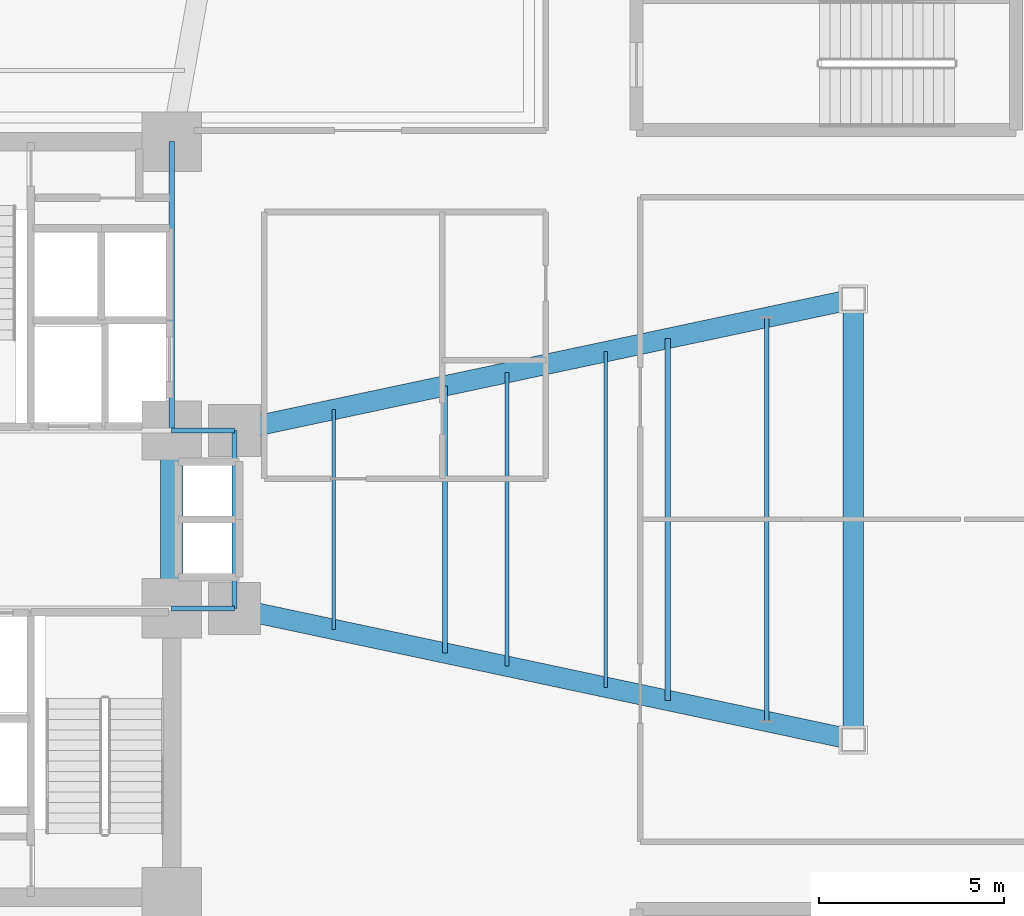
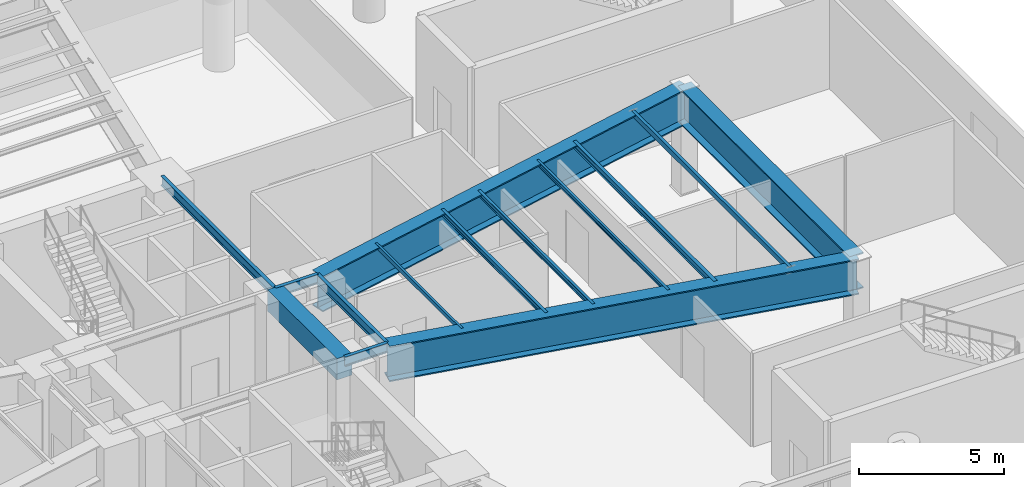
# One storey, part 7 of 22: 14 beams.
"""IFC4 building model written with IfcOpenShell, lengths in metres."""

from ifc_helpers import new_model, si_unit, direction, frame, origin, origin_2d, place, context, subcontext, project, spatial, rectangle, hollow_rectangle, i_section, extrude, source, transform, mapped, material, material_profile, profile_set, type_object, element, save


model = new_model("IFC4")

# Units and contexts
model_context = context("Model", 3, precision=1e-05, world=origin(), true_north=direction((0.0, 1.0)))
body_context = subcontext(model_context, "Body", "Model", "MODEL_VIEW")
ifc_project = project(units=[si_unit("LENGTHUNIT", "METRE"), si_unit("AREAUNIT", "SQUARE_METRE"), si_unit("VOLUMEUNIT", "CUBIC_METRE"), si_unit("PLANEANGLEUNIT", "RADIAN"), si_unit("MASSUNIT", "GRAM", prefix="KILO")], contexts=[model_context])

# Site, building, storey
site_placement = place(None, origin())
site = spatial("IfcSite", under=ifc_project, at=site_placement, CompositionType="ELEMENT")
building_placement = place(site_placement, origin())
building = spatial("IfcBuilding", under=site, at=building_placement, Name="Sahyath Konkavel Grand Hotel", CompositionType="ELEMENT")
storey_placement = place(building_placement, frame((0.0, 0.0, 9.300048828125)))
storey = spatial("IfcBuildingStorey", under=building, at=storey_placement, Name="L02", CompositionType="ELEMENT", Elevation=9.300048828125)

# Beams
ifc_material_1 = material(Name="Concrete C70/85", Category="concrete")
ifc_material_profile_1 = material_profile(ifc_material_1, rectangle(XDim=0.60009765625, YDim=0.89990234375, at=origin_2d()), Name="RC 600x900")
ifc_profile_set_1 = profile_set([ifc_material_profile_1], Name="Concrete C70/85")
beam_type_1 = type_object("IfcBeamType", Name="BM-CB600x900", PredefinedType="LINTEL", material=ifc_profile_set_1)
shared_shape_1 = source(origin(), body_context, "Body", "SweptSolid", [
    extrude(rectangle(XDim=0.60009765625, YDim=0.89990234375, at=origin_2d()), origin(), (0.0, 0.0, 1.0), 4.7998046875),
])
beam_1_placement = place(storey_placement, frame((3.800048828125, -2.39990234375, 3.949951171875), z_axis=(0.0, 1.0, 0.0), x_axis=(-1.0, 0.0, 0.0)))
element("IfcBeam", 1, at=beam_1_placement, inside=storey, type_object=beam_type_1, Name="L02 Split-Core Coupling Beam East", PredefinedType="LINTEL", context=body_context, shape_type="MappedRepresentation", body=[
    mapped(shared_shape_1, transform((0.0, 0.0, 0.0), scale=1.0)),
])
ifc_material_2 = material(Name="Steel E350", Category="steel")
ifc_material_profile_2 = material_profile(ifc_material_2, i_section(OverallWidth=0.139892578125, OverallDepth=0.39990234375, WebThickness=0.0087890625, FlangeThickness=0.01611328125, FilletRadius=0.013916015625, at=origin_2d()), Name="ISMB 400")
ifc_profile_set_2 = profile_set([ifc_material_profile_2], Name="Steel E350")
beam_type_2 = type_object("IfcBeamType", Name="BM-ISMB400", PredefinedType="BEAM", material=ifc_profile_set_2)
shared_shape_2 = source(origin(), body_context, "Body", "SweptSolid", [
    extrude(i_section(OverallWidth=0.139892578125, OverallDepth=0.39990234375, WebThickness=0.0087890625, FlangeThickness=0.01611328125, FilletRadius=0.013916015625, at=origin_2d()), origin(), (0.0, 0.0, 1.0), 7.800048828125),
])
beam_2_placement = place(storey_placement, frame((3.800048828125, 2.39990234375, 4.199951171875), z_axis=(0.0, 1.0, 0.0), x_axis=(-1.0, 0.0, 0.0)))
element("IfcBeam", 2, at=beam_2_placement, inside=storey, type_object=beam_type_2, Name="str:bm:L02:NC-E", PredefinedType="BEAM", context=body_context, shape_type="MappedRepresentation", body=[
    mapped(shared_shape_2, transform((0.0, 0.0, 0.0), scale=1.0)),
])
shared_shape_3 = source(origin(), body_context, "Body", "SweptSolid", [
    extrude(i_section(OverallWidth=0.139892578125, OverallDepth=0.39990234375, WebThickness=0.0087890625, FlangeThickness=0.01611328125, FilletRadius=0.013916015625, at=origin_2d()), origin(), (0.0, 0.0, 1.0), 1.699951171875),
])
for number, where, z_axis, x_axis, name in (
    (3, (3.800048828125, 2.39990234375, 4.199951171875), (1.0, 0.0, 0.0), (0.0, 1.0, 0.0), "str:bm:L02:HB-NE"),
    (4, (3.800048828125, -2.39990234375, 4.199951171875), (1.0, 0.0, 0.0), (0.0, 1.0, 0.0), "str:bm:L02:HB-SE"),
):
    element("IfcBeam", number, at=place(storey_placement, frame(where, z_axis=z_axis, x_axis=x_axis)), inside=storey, type_object=beam_type_2, Name=name, PredefinedType="BEAM", context=body_context, shape_type="MappedRepresentation", body=[
        mapped(shared_shape_3, transform((0.0, 0.0, 0.0), scale=1.0)),
    ])
shared_shape_4 = source(origin(), body_context, "Body", "SweptSolid", [
    extrude(i_section(OverallWidth=0.139892578125, OverallDepth=0.39990234375, WebThickness=0.0087890625, FlangeThickness=0.01611328125, FilletRadius=0.013916015625, at=origin_2d()), origin(), (0.0, 0.0, 1.0), 4.7998046875),
])
beam_3_placement = place(storey_placement, frame((5.5, -2.39990234375, 4.199951171875), z_axis=(0.0, 1.0, 0.0), x_axis=(-1.0, 0.0, 0.0)))
element("IfcBeam", 5, at=beam_3_placement, inside=storey, type_object=beam_type_2, Name="str:bm:L02:HB-E", PredefinedType="BEAM", context=body_context, shape_type="MappedRepresentation", body=[
    mapped(shared_shape_4, transform((0.0, 0.0, 0.0), scale=1.0)),
])
ifc_material_3 = material(Name="Steel E450", Category="steel")
ifc_material_profile_3 = material_profile(ifc_material_3, i_section(OverallWidth=0.550048828125, OverallDepth=1.5, WebThickness=0.028076171875, FlangeThickness=0.050048828125, at=origin_2d()), Name="BPG 1500x550")
ifc_profile_set_3 = profile_set([ifc_material_profile_3], Name="Steel E450")
beam_type_3 = type_object("IfcBeamType", Name="BM-BPG1500", PredefinedType="BEAM", material=ifc_profile_set_3)
shared_shape_5 = source(origin(), body_context, "Body", "SweptSolid", [
    extrude(i_section(OverallWidth=0.550048828125, OverallDepth=1.5, WebThickness=0.028076171875, FlangeThickness=0.050048828125, at=origin_2d()), origin(), (0.0, 0.0, 1.0), 17.072998046875),
])
for number, where, z_axis, x_axis, name in (
    (6, (5.5, -2.39990234375, 3.64990234375), (0.978143257225, -0.20793212437, 0.0), (0.20793212437, 0.978143257225, 0.0), "L02 Ballroom E450 Transfer Truss Chord EA"),
    (7, (5.5, 2.39990234375, 3.64990234375), (0.978143257225, 0.20793212437, 0.0), (-0.20793212437, 0.978143257225, 0.0), "L02 Ballroom E450 Transfer Truss Chord EB"),
):
    element("IfcBeam", number, at=place(storey_placement, frame(where, z_axis=z_axis, x_axis=x_axis)), inside=storey, type_object=beam_type_3, Name=name, PredefinedType="BEAM", context=body_context, shape_type="MappedRepresentation", body=[
        mapped(shared_shape_5, transform((0.0, 0.0, 0.0), scale=1.0)),
    ])
shared_shape_6 = source(origin(), body_context, "Body", "SweptSolid", [
    extrude(i_section(OverallWidth=0.550048828125, OverallDepth=1.5, WebThickness=0.028076171875, FlangeThickness=0.050048828125, at=origin_2d()), origin(), (0.0, 0.0, 1.0), 11.89990234375),
])
beam_4_placement = place(storey_placement, frame((22.199951171875, -5.949951171875, 3.64990234375), z_axis=(0.0, 1.0, 0.0), x_axis=(-1.0, 0.0, 0.0)))
element("IfcBeam", 8, at=beam_4_placement, inside=storey, type_object=beam_type_3, Name="L02 Ballroom E450 Transfer Truss Chord Tie E", PredefinedType="BEAM", context=body_context, shape_type="MappedRepresentation", body=[
    mapped(shared_shape_6, transform((0.0, 0.0, 0.0), scale=1.0)),
])
ifc_material_profile_4 = material_profile(ifc_material_2, hollow_rectangle(XDim=0.090087890625, YDim=0.179931640625, WallThickness=0.008056640625, at=origin_2d()), Name="RHS 180x90x8")
ifc_profile_set_4 = profile_set([ifc_material_profile_4], Name="Steel E350")
beam_type_4 = type_object("IfcBeamType", Name="BM-RHS180", PredefinedType="BEAM", material=ifc_profile_set_4)
shared_shape_7 = source(origin(), body_context, "Body", "SweptSolid", [
    extrude(hollow_rectangle(XDim=0.090087890625, YDim=0.179931640625, WallThickness=0.008056640625, at=origin_2d()), origin(), (0.0, 0.0, 1.0), 5.93603515625),
])
beam_5_placement = place(storey_placement, frame((8.172119140625, -2.968017578125, 4.31005859375), z_axis=(0.0, 1.0, 0.0), x_axis=(-1.0, 0.0, 0.0)))
element("IfcBeam", 9, at=beam_5_placement, inside=storey, type_object=beam_type_4, Name="L02 Composite Deck Sub-Beam E-1", PredefinedType="BEAM", context=body_context, shape_type="MappedRepresentation", body=[
    mapped(shared_shape_7, transform((0.0, 0.0, 0.0), scale=1.0)),
])
ifc_material_profile_5 = material_profile(ifc_material_2, i_section(OverallWidth=0.125, OverallDepth=0.25, WebThickness=0.0068359375, FlangeThickness=0.012451171875, FilletRadius=0.012939453125, at=origin_2d()), Name="ISMB 250")
ifc_profile_set_5 = profile_set([ifc_material_profile_5], Name="Steel E350")
beam_type_5 = type_object("IfcBeamType", Name="BM-ISMB250", PredefinedType="BEAM", material=ifc_profile_set_5)
shared_shape_8 = source(origin(), body_context, "Body", "SweptSolid", [
    extrude(i_section(OverallWidth=0.125, OverallDepth=0.25, WebThickness=0.0068359375, FlangeThickness=0.012451171875, FilletRadius=0.012939453125, at=origin_2d()), origin(), (0.0, 0.0, 1.0), 7.2138671875),
])
beam_6_placement = place(storey_placement, frame((11.177978515625, -3.60693359375, 4.27490234375), z_axis=(0.0, 1.0, 0.0), x_axis=(-1.0, 0.0, 0.0)))
element("IfcBeam", 10, at=beam_6_placement, inside=storey, type_object=beam_type_5, Name="L02 Composite Deck Sub-Beam E-2", PredefinedType="BEAM", context=body_context, shape_type="MappedRepresentation", body=[
    mapped(shared_shape_8, transform((0.0, 0.0, 0.0), scale=1.0)),
])
ifc_material_profile_6 = material_profile(ifc_material_2, i_section(OverallWidth=0.110107421875, OverallDepth=0.22509765625, WebThickness=0.006591796875, FlangeThickness=0.01171875, FilletRadius=0.011962890625, at=origin_2d()), Name="ISMB 225")
ifc_profile_set_6 = profile_set([ifc_material_profile_6], Name="Steel E350")
beam_type_6 = type_object("IfcBeamType", Name="BM-ISMB225", PredefinedType="BEAM", material=ifc_profile_set_6)
shared_shape_9 = source(origin(), body_context, "Body", "SweptSolid", [
    extrude(i_section(OverallWidth=0.110107421875, OverallDepth=0.22509765625, WebThickness=0.006591796875, FlangeThickness=0.01171875, FilletRadius=0.011962890625, at=origin_2d()), origin(), (0.0, 0.0, 1.0), 7.923828125),
])
beam_7_placement = place(storey_placement, frame((12.847900390625, -3.9619140625, 4.287353515625), z_axis=(0.0, 1.0, 0.0), x_axis=(-1.0, 0.0, 0.0)))
element("IfcBeam", 11, at=beam_7_placement, inside=storey, type_object=beam_type_6, Name="L02 Composite Deck Sub-Beam E-3", PredefinedType="BEAM", context=body_context, shape_type="MappedRepresentation", body=[
    mapped(shared_shape_9, transform((0.0, 0.0, 0.0), scale=1.0)),
])
ifc_material_profile_7 = material_profile(ifc_material_2, i_section(OverallWidth=0.10009765625, OverallDepth=0.199951171875, WebThickness=0.005615234375, FlangeThickness=0.0107421875, FilletRadius=0.010986328125, at=origin_2d()), Name="ISMB 200")
ifc_profile_set_7 = profile_set([ifc_material_profile_7], Name="Steel E350")
beam_type_7 = type_object("IfcBeamType", Name="BM-ISMB200", PredefinedType="BEAM", material=ifc_profile_set_7)
shared_shape_10 = source(origin(), body_context, "Body", "SweptSolid", [
    extrude(i_section(OverallWidth=0.10009765625, OverallDepth=0.199951171875, WebThickness=0.005615234375, FlangeThickness=0.0107421875, FilletRadius=0.010986328125, at=origin_2d()), origin(), (0.0, 0.0, 1.0), 9.06005859375),
])
beam_8_placement = place(storey_placement, frame((15.52001953125, -4.530029296875, 4.300048828125), z_axis=(0.0, 1.0, 0.0), x_axis=(-1.0, 0.0, 0.0)))
element("IfcBeam", 12, at=beam_8_placement, inside=storey, type_object=beam_type_7, Name="L02 Composite Deck Sub-Beam E-4", PredefinedType="BEAM", context=body_context, shape_type="MappedRepresentation", body=[
    mapped(shared_shape_10, transform((0.0, 0.0, 0.0), scale=1.0)),
])
ifc_material_profile_8 = material_profile(ifc_material_2, i_section(OverallWidth=0.139892578125, OverallDepth=0.27490234375, WebThickness=0.00634765625, FlangeThickness=0.0087890625, FilletRadius=0.012939453125, at=origin_2d()), Name="ISLB 275")
ifc_profile_set_8 = profile_set([ifc_material_profile_8], Name="Steel E350")
beam_type_8 = type_object("IfcBeamType", Name="BM-ISLB275", PredefinedType="BEAM", material=ifc_profile_set_8)
shared_shape_11 = source(origin(), body_context, "Body", "SweptSolid", [
    extrude(i_section(OverallWidth=0.139892578125, OverallDepth=0.27490234375, WebThickness=0.00634765625, FlangeThickness=0.0087890625, FilletRadius=0.012939453125, at=origin_2d()), origin(), (0.0, 0.0, 1.0), 9.77001953125),
])
beam_9_placement = place(storey_placement, frame((17.18994140625, -4.885009765625, 4.262451171875), z_axis=(0.0, 1.0, 0.0), x_axis=(-1.0, 0.0, 0.0)))
element("IfcBeam", 13, at=beam_9_placement, inside=storey, type_object=beam_type_8, Name="L02 Composite Deck Sub-Beam E-5", PredefinedType="BEAM", context=body_context, shape_type="MappedRepresentation", body=[
    mapped(shared_shape_11, transform((0.0, 0.0, 0.0), scale=1.0)),
])
ifc_material_profile_9 = material_profile(ifc_material_2, hollow_rectangle(XDim=0.1201171875, YDim=0.219970703125, WallThickness=0.010009765625, at=origin_2d()), Name="RHS 220x120x10")
ifc_profile_set_9 = profile_set([ifc_material_profile_9], Name="Steel E350")
beam_type_9 = type_object("IfcBeamType", Name="BM-RHS220", PredefinedType="BEAM", material=ifc_profile_set_9)
shared_shape_12 = source(origin(), body_context, "Body", "SweptSolid", [
    extrude(hollow_rectangle(XDim=0.1201171875, YDim=0.219970703125, WallThickness=0.010009765625, at=origin_2d()), origin(), (0.0, 0.0, 1.0), 10.90576171875),
])
beam_10_placement = place(storey_placement, frame((19.862060546875, -5.452880859375, 4.2900390625), z_axis=(0.0, 1.0, 0.0), x_axis=(-1.0, 0.0, 0.0)))
element("IfcBeam", 14, at=beam_10_placement, inside=storey, type_object=beam_type_9, Name="L02 Composite Deck Sub-Beam E-6", PredefinedType="BEAM", context=body_context, shape_type="MappedRepresentation", body=[
    mapped(shared_shape_12, transform((0.0, 0.0, 0.0), scale=1.0)),
])

save(model, "model.ifc")
